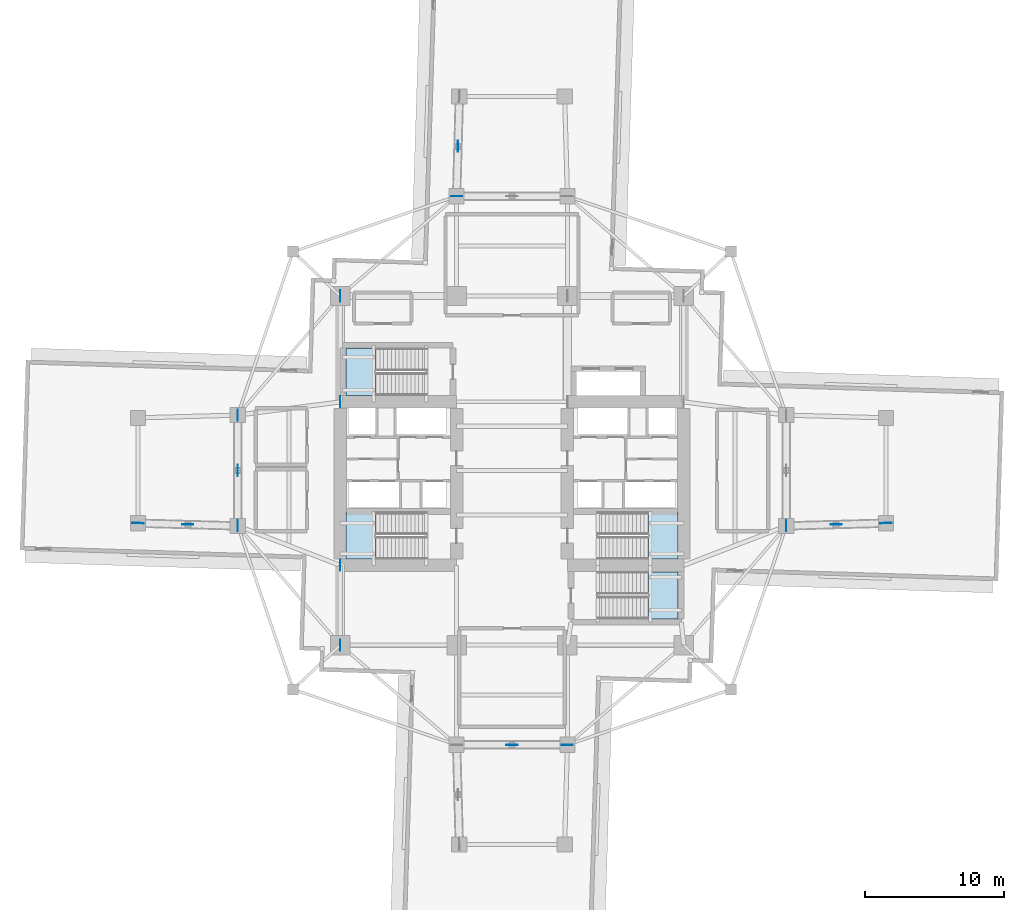
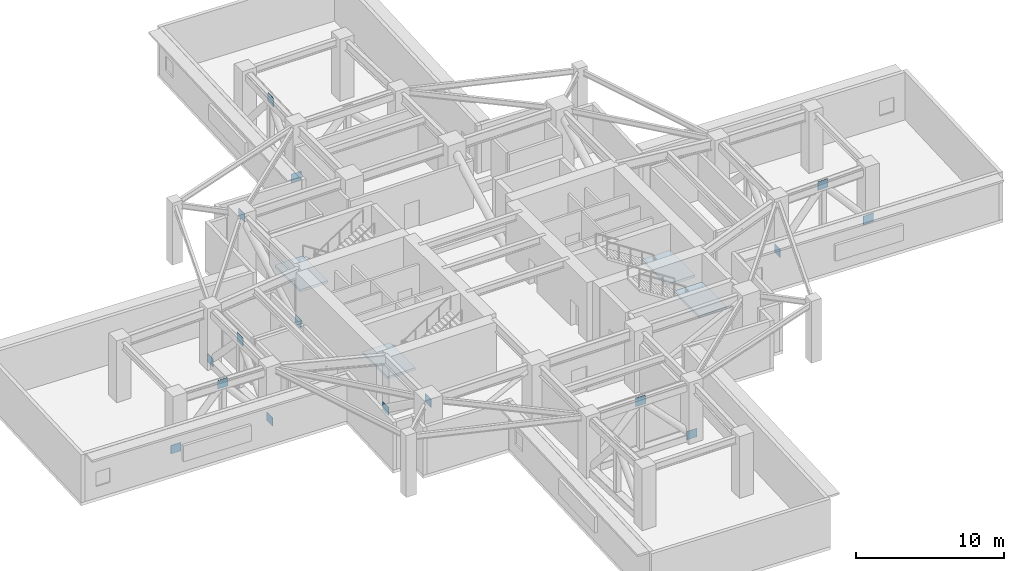
# One storey, part 5 of 17: 16 plates, 4 slabs, 4 elements without a shape of their own.
"""IFC4 building model written with IfcOpenShell, lengths in metres."""

from ifc_helpers import new_model, si_unit, direction, frame, origin, origin_2d, place, context, subcontext, project, spatial, polyline, rectangle, outline, extrude, material, layer, layer_set, type_object, element, aggregate, save


model = new_model("IFC4")

# Units and contexts
model_context = context("Model", 3, precision=1e-05, world=origin(), true_north=direction((0.0, 1.0)))
body_context = subcontext(model_context, "Body", "Model", "MODEL_VIEW")
ifc_project = project(units=[si_unit("LENGTHUNIT", "METRE"), si_unit("AREAUNIT", "SQUARE_METRE"), si_unit("VOLUMEUNIT", "CUBIC_METRE"), si_unit("PLANEANGLEUNIT", "RADIAN"), si_unit("MASSUNIT", "GRAM", prefix="KILO")], contexts=[model_context])

# Site, building, storey
site_placement = place(None, origin())
site = spatial("IfcSite", under=ifc_project, at=site_placement, CompositionType="ELEMENT")
building_placement = place(site_placement, origin())
building = spatial("IfcBuilding", under=site, at=building_placement, Name="Qingluan Cross Belvedere", CompositionType="ELEMENT")
storey_placement = place(building_placement, frame((0.0, 0.0, 95.10009765625)))
storey = spatial("IfcBuildingStorey", under=building, at=storey_placement, Name="L24", CompositionType="ELEMENT", Elevation=95.10009765625)

# Plates
ifc_material_1 = material(Name="Steel Q420GJB", Category="steel")
ifc_layer_1 = layer(ifc_material_1, 0.031982421875, Name="GussetPlate_32")
ifc_layer_set_1 = layer_set([ifc_layer_1], Name="Steel Q420GJB")
plate_type = type_object("IfcPlateType", Name="GussetPlate_32", PredefinedType="SHEET", material=ifc_layer_set_1)
for number, where, z_axis, x_axis, name in (
    (1, (19.800048828125, -4.0, 0.0), (0.0, 0.0, 1.0), (0.0, 1.0, 0.0), "Belt truss gusset node plate L24-E-A"),
    (2, (-19.800048828125, 0.0, 4.14990234375), (0.0, 0.0, 1.0), (0.0, 1.0, 0.0), "Belt truss gusset node plate L24-W-M"),
    (3, (-19.800048828125, 4.0, 0.0), (0.0, 0.0, 1.0), (0.0, 1.0, 0.0), "Belt truss gusset node plate L24-W-B"),
    (4, (-19.800048828125, -4.0, 0.0), (0.0, 0.0, 1.0), (0.0, 1.0, 0.0), "Belt truss gusset node plate L24-W-A"),
    (5, (-4.0, 19.800048828125, 0.0), (0.0, 0.0, 1.0), (1.0, 0.0, 0.0), "Belt truss gusset node plate L24-N-A"),
    (6, (0.0, -19.800048828125, 4.14990234375), (0.0, 0.0, 1.0), (1.0, 0.0, 0.0), "Belt truss gusset node plate L24-S-M"),
    (7, (4.0, -19.800048828125, 0.0), (0.0, 0.0, 1.0), (1.0, 0.0, 0.0), "Belt truss gusset node plate L24-S-B"),
    (8, (23.39990234375, -3.89990234375, 4.14990234375), (0.0, 0.0, 1.0), (0.999614420653, 0.027767067237, 0.0), "Belt truss gusset node plate L24-EE-M"),
    (9, (27.0, -3.800048828125, 0.0), (0.0, 0.0, 1.0), (0.999614420653, 0.027767067237, 0.0), "Belt truss gusset node plate L24-EE-B"),
    (10, (-23.39990234375, -3.89990234375, 4.14990234375), (0.0, 0.0, 1.0), (-0.999614420653, 0.027767067237, 0.0), "Belt truss gusset node plate L24-WW-M"),
    (11, (-27.0, -3.800048828125, 0.0), (0.0, 0.0, 1.0), (-0.999614420653, 0.027767067237, 0.0), "Belt truss gusset node plate L24-WW-B"),
    (12, (-3.89990234375, 23.39990234375, 4.14990234375), (0.0, 0.0, 1.0), (0.027767067237, 0.999614420653, 0.0), "Belt truss gusset node plate L24-NN-M"),
    (13, (-12.39990234375, 4.949951171875, 0.0), (0.0, 0.0, 1.0), (0.0, 1.0, 0.0), "Outrigger end connection plate L24-OWN-BOT"),
    (14, (-12.39990234375, 12.60009765625, 4.14990234375), (0.0, 0.0, 1.0), (0.0, 1.0, 0.0), "Outrigger end connection plate L24-OWN-TOP"),
    (15, (-12.39990234375, -6.85009765625, 0.0), (0.0, 0.0, 1.0), (0.0, 1.0, 0.0), "Outrigger end connection plate L24-OWS-BOT"),
    (16, (-12.39990234375, -12.60009765625, 4.14990234375), (0.0, 0.0, 1.0), (0.0, 1.0, 0.0), "Outrigger end connection plate L24-OWS-TOP"),
):
    element("IfcPlate", number, at=place(storey_placement, frame(where, z_axis=z_axis, x_axis=x_axis)), inside=storey, type_object=plate_type, Name=name, PredefinedType="SHEET", context=body_context, shape_type="SweptSolid", body=[
        extrude(rectangle(XDim=0.800048828125, YDim=0.031982421875, at=origin_2d()), origin(), (0.0, 0.0, 1.0), 0.699951171875),
    ])

# Stair, slab
ifc_material_2 = material(Name="Concrete C40", Category="concrete")
stair_type = type_object("IfcStairType", Name="CoreDoglegStair_1620", PredefinedType="HALF_TURN_STAIR", material=ifc_material_2)
stair_1_placement = place(storey_placement, origin())
stair_1 = element("IfcStair", 17, at=stair_1_placement, inside=storey, type_object=stair_type, Name="L24 ST1", PredefinedType="HALF_TURN_STAIR")
ifc_material_3 = material(Name="Concrete C40", Category="concrete")
ifc_layer_2 = layer(ifc_material_3, 0.179931640625, Name="StairLandingSlab_180")
ifc_layer_set_2 = layer_set([ifc_layer_2], Name="Concrete C40")
slab_type = type_object("IfcSlabType", Name="StairLandingSlab_180", PredefinedType="LANDING", material=ifc_layer_set_2)
slab_1_placement = place(storey_placement, frame((0.0, 0.0, 2.349853515625)))
slab_1 = element("IfcSlab", 18, at=slab_1_placement, type_object=slab_type, Name="ST1 landing 1", PredefinedType="LANDING", context=body_context, shape_type="SweptSolid", body=[
    extrude(outline(polyline([(-9.820068359375, -3.0), (-12.0, -3.0), (-12.0, -6.39990234375), (-9.820068359375, -6.39990234375), (-9.820068359375, -3.0)])), origin(), (0.0, 0.0, 1.0), 0.199951171875),
])
aggregate(stair_1, [slab_1])

stair_2_placement = place(storey_placement, origin())
stair_2 = element("IfcStair", 19, at=stair_2_placement, inside=storey, type_object=stair_type, Name="L24 ST2", PredefinedType="HALF_TURN_STAIR")
slab_2_placement = place(storey_placement, frame((0.0, 0.0, 2.349853515625)))
slab_2 = element("IfcSlab", 20, at=slab_2_placement, type_object=slab_type, Name="ST2 landing 1", PredefinedType="LANDING", context=body_context, shape_type="SweptSolid", body=[
    extrude(outline(polyline([(9.820068359375, -6.39990234375), (12.0, -6.39990234375), (12.0, -3.0), (9.820068359375, -3.0), (9.820068359375, -6.39990234375)])), origin(), (0.0, 0.0, 1.0), 0.199951171875),
])
aggregate(stair_2, [slab_2])

stair_3_placement = place(storey_placement, origin())
stair_3 = element("IfcStair", 21, at=stair_3_placement, inside=storey, type_object=stair_type, Name="L24 ST3", PredefinedType="HALF_TURN_STAIR")
slab_3_placement = place(storey_placement, frame((0.0, 0.0, 2.349853515625)))
slab_3 = element("IfcSlab", 22, at=slab_3_placement, type_object=slab_type, Name="ST3 landing 1", PredefinedType="LANDING", context=body_context, shape_type="SweptSolid", body=[
    extrude(outline(polyline([(-9.820068359375, 8.820068359375), (-12.0, 8.820068359375), (-12.0, 5.419921875), (-9.820068359375, 5.419921875), (-9.820068359375, 8.820068359375)])), origin(), (0.0, 0.0, 1.0), 0.199951171875),
])
aggregate(stair_3, [slab_3])

stair_4_placement = place(storey_placement, origin())
stair_4 = element("IfcStair", 23, at=stair_4_placement, inside=storey, type_object=stair_type, Name="L24 ST4", PredefinedType="HALF_TURN_STAIR")
slab_4_placement = place(storey_placement, frame((0.0, 0.0, 2.349853515625)))
slab_4 = element("IfcSlab", 24, at=slab_4_placement, type_object=slab_type, Name="ST4 landing 1", PredefinedType="LANDING", context=body_context, shape_type="SweptSolid", body=[
    extrude(outline(polyline([(9.820068359375, -10.719970703125), (12.0, -10.719970703125), (12.0, -7.320068359375), (9.820068359375, -7.320068359375), (9.820068359375, -10.719970703125)])), origin(), (0.0, 0.0, 1.0), 0.199951171875),
])
aggregate(stair_4, [slab_4])

save(model, "model.ifc")
